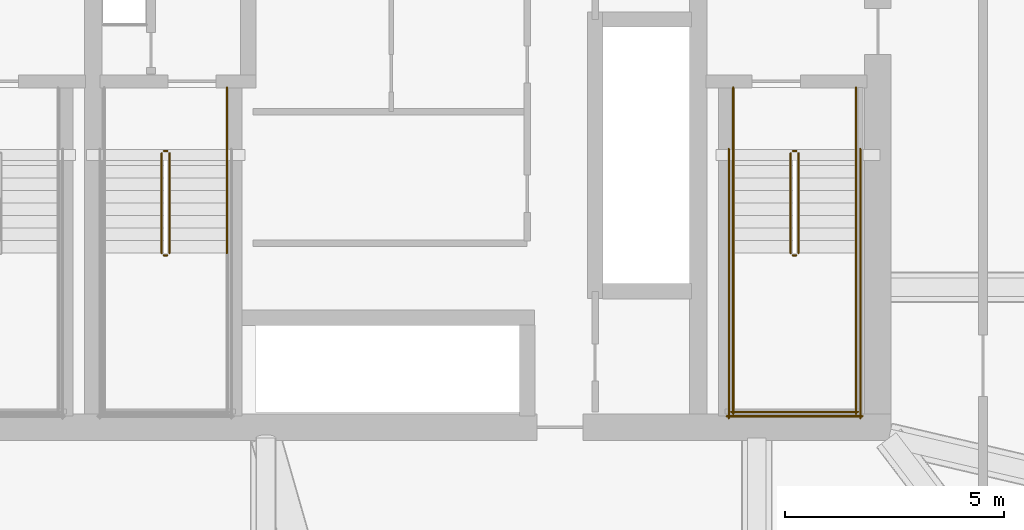
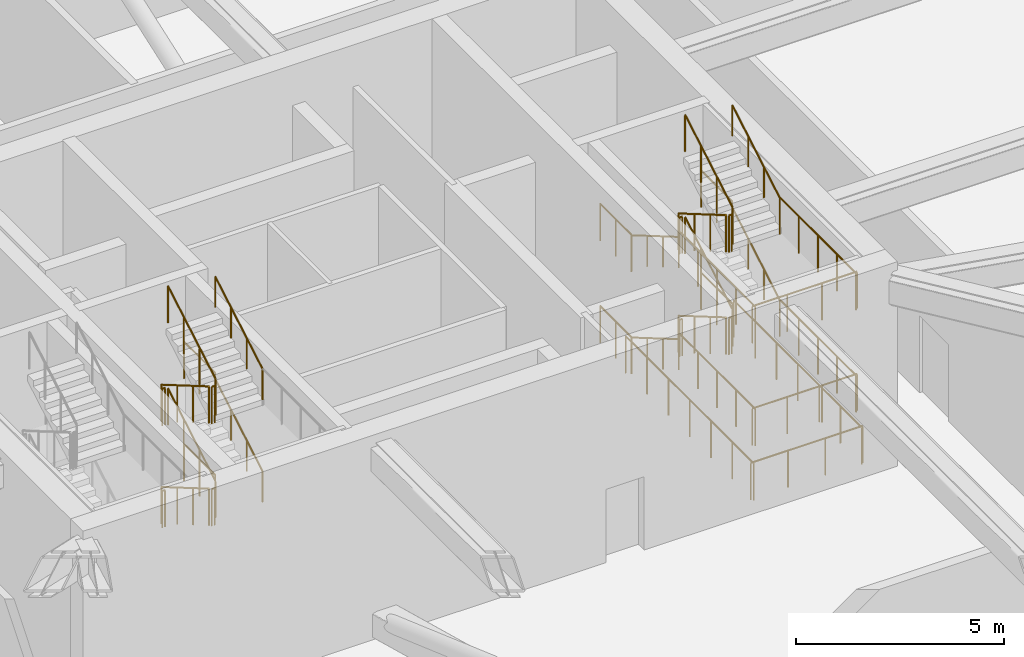
# One storey, part 13 of 14: 37 railings.
"""IFC4 building model written with IfcOpenShell, lengths in metres."""

from ifc_helpers import new_model, si_unit, direction, frame, origin, origin_2d, place, context, subcontext, project, spatial, circle, extrude, material, type_object, element, save


model = new_model("IFC4")

# Units and contexts
model_context = context("Model", 3, precision=1e-05, world=origin(), true_north=direction((0.0, 1.0)))
body_context = subcontext(model_context, "Body", "Model", "MODEL_VIEW")
ifc_project = project(units=[si_unit("LENGTHUNIT", "METRE"), si_unit("AREAUNIT", "SQUARE_METRE"), si_unit("VOLUMEUNIT", "CUBIC_METRE"), si_unit("PLANEANGLEUNIT", "RADIAN"), si_unit("MASSUNIT", "GRAM", prefix="KILO")], contexts=[model_context])

# Site, building, storey
site_placement = place(None, origin())
site = spatial("IfcSite", under=ifc_project, at=site_placement, CompositionType="ELEMENT")
building_placement = place(site_placement, origin())
building = spatial("IfcBuilding", under=site, at=building_placement, Name="Bramvorn Convention Spire", CompositionType="ELEMENT")
storey_placement = place(building_placement, frame((0.0, 0.0, 35.39990234375)))
storey = spatial("IfcBuildingStorey", under=building, at=storey_placement, Name="L06", CompositionType="ELEMENT", Elevation=35.39990234375)

# Railings
ifc_material_1 = material(Name="Painted Steel Balustrade & Guardrail", Category="steel")
railing_type_1 = type_object("IfcRailingType", Name="RL-STAIR-GUARD-1100", PredefinedType="GUARDRAIL", material=ifc_material_1)
railing_1_placement = place(storey_placement, frame((47.010009765625, 25.050048828125, 0.166748046875)))
element("IfcRailing", 1, at=railing_1_placement, inside=storey, type_object=railing_type_1, Name="L06 ST2 stair guard 1", PredefinedType="GUARDRAIL", context=body_context, shape_type="SweptSolid", body=[
    extrude(circle(Radius=0.02392578125, at=origin_2d()), frame((0.0, 0.0, 1.076171875), z_axis=(0.0, -0.863245362884, 0.504784551527), x_axis=(1.0, 0.0, 0.0)), (0.0, 0.0, 1.0), 2.64111328125),
    extrude(circle(Radius=0.02099609375, at=origin_2d()), origin(), (0.0, 0.0, 1.0), 1.052001953125),
    extrude(circle(Radius=0.02099609375, at=origin_2d()), frame((0.0, -0.760009765625, 0.4443359375)), (0.0, 0.0, 1.0), 1.052001953125),
    extrude(circle(Radius=0.02099609375, at=origin_2d()), frame((0.0, -1.52001953125, 0.888916015625)), (0.0, 0.0, 1.0), 1.052001953125),
    extrude(circle(Radius=0.02099609375, at=origin_2d()), frame((0.0, -2.280029296875, 1.333251953125)), (0.0, 0.0, 1.0), 1.052001953125),
])
railing_2_placement = place(storey_placement, frame((47.06005859375, 22.719970703125, 1.5)))
element("IfcRailing", 2, at=railing_2_placement, inside=storey, type_object=railing_type_1, Name="L06 ST2 stair guard 2", PredefinedType="GUARDRAIL", context=body_context, shape_type="SweptSolid", body=[
    extrude(circle(Radius=0.02392578125, at=origin_2d()), frame((0.0, 0.0, 1.076171875), z_axis=(1.0, 0.0, 0.0), x_axis=(0.0, 1.0, 0.0)), (0.0, 0.0, 1.0), 0.079833984375),
    extrude(circle(Radius=0.02099609375, at=origin_2d()), origin(), (0.0, 0.0, 1.0), 1.052001953125),
    extrude(circle(Radius=0.02099609375, at=origin_2d()), frame((0.079833984375, 0.0, 0.0)), (0.0, 0.0, 1.0), 1.052001953125),
])
for number, where, name in (
    (3, (45.699951171875, 22.77001953125, 1.5), "L06 ST2 stair guard 3"),
    (4, (48.5, 22.77001953125, 1.5), "L06 ST2 stair guard 4"),
):
    element("IfcRailing", number, at=place(storey_placement, frame(where)), inside=storey, type_object=railing_type_1, Name=name, PredefinedType="GUARDRAIL", context=body_context, shape_type="SweptSolid", body=[
        extrude(circle(Radius=0.02392578125, at=origin_2d()), frame((0.0, 0.0, 1.076171875), z_axis=(0.0, -1.0, 0.0), x_axis=(1.0, 0.0, 0.0)), (0.0, 0.0, 1.0), 3.669921875),
        extrude(circle(Radius=0.02099609375, at=origin_2d()), origin(), (0.0, 0.0, 1.0), 1.052001953125),
        extrude(circle(Radius=0.02099609375, at=origin_2d()), frame((0.0, -0.91748046875, 0.0)), (0.0, 0.0, 1.0), 1.052001953125),
        extrude(circle(Radius=0.02099609375, at=origin_2d()), frame((0.0, -1.8349609375, 0.0)), (0.0, 0.0, 1.0), 1.052001953125),
        extrude(circle(Radius=0.02099609375, at=origin_2d()), frame((0.0, -2.75244140625, 0.0)), (0.0, 0.0, 1.0), 1.052001953125),
        extrude(circle(Radius=0.02099609375, at=origin_2d()), frame((0.0, -3.669921875, 0.0)), (0.0, 0.0, 1.0), 1.052001953125),
    ])
railing_3_placement = place(storey_placement, frame((45.64990234375, 19.14990234375, 1.5)))
element("IfcRailing", 5, at=railing_3_placement, inside=storey, type_object=railing_type_1, Name="L06 ST2 stair guard 5", PredefinedType="GUARDRAIL", context=body_context, shape_type="SweptSolid", body=[
    extrude(circle(Radius=0.02392578125, at=origin_2d()), frame((0.0, 0.0, 1.076171875), z_axis=(1.0, 0.0, 0.0), x_axis=(0.0, 1.0, 0.0)), (0.0, 0.0, 1.0), 2.900146484375),
    extrude(circle(Radius=0.02099609375, at=origin_2d()), origin(), (0.0, 0.0, 1.0), 1.052001953125),
    extrude(circle(Radius=0.02099609375, at=origin_2d()), frame((0.966796875, 0.0, 0.0)), (0.0, 0.0, 1.0), 1.052001953125),
    extrude(circle(Radius=0.02099609375, at=origin_2d()), frame((1.933349609375, 0.0, 0.0)), (0.0, 0.0, 1.0), 1.052001953125),
    extrude(circle(Radius=0.02099609375, at=origin_2d()), frame((2.900146484375, 0.0, 0.0)), (0.0, 0.0, 1.0), 1.052001953125),
])
railing_4_placement = place(storey_placement, frame((47.18994140625, 22.77001953125, 1.666748046875)))
element("IfcRailing", 6, at=railing_4_placement, inside=storey, type_object=railing_type_1, Name="L06 ST2 stair guard 6", PredefinedType="GUARDRAIL", context=body_context, shape_type="SweptSolid", body=[
    extrude(circle(Radius=0.02392578125, at=origin_2d()), frame((0.0, 0.0, 1.076171875), z_axis=(0.0, 0.863245362884, 0.504784551527), x_axis=(-1.0, 0.0, 0.0)), (0.0, 0.0, 1.0), 2.64111328125),
    extrude(circle(Radius=0.02099609375, at=origin_2d()), origin(), (0.0, 0.0, 1.0), 1.052001953125),
    extrude(circle(Radius=0.02099609375, at=origin_2d()), frame((0.0, 0.760009765625, 0.4443359375)), (0.0, 0.0, 1.0), 1.052001953125),
    extrude(circle(Radius=0.02099609375, at=origin_2d()), frame((0.0, 1.52001953125, 0.888916015625)), (0.0, 0.0, 1.0), 1.052001953125),
    extrude(circle(Radius=0.02099609375, at=origin_2d()), frame((0.0, 2.280029296875, 1.333251953125)), (0.0, 0.0, 1.0), 1.052001953125),
])
railing_5_placement = place(storey_placement, frame((47.06005859375, 25.10009765625, 3.0)))
element("IfcRailing", 7, at=railing_5_placement, inside=storey, type_object=railing_type_1, Name="L06 ST2 stair guard 7", PredefinedType="GUARDRAIL", context=body_context, shape_type="SweptSolid", body=[
    extrude(circle(Radius=0.02392578125, at=origin_2d()), frame((0.0, 0.0, 1.076171875), z_axis=(1.0, 0.0, 0.0), x_axis=(0.0, 1.0, 0.0)), (0.0, 0.0, 1.0), 0.079833984375),
    extrude(circle(Radius=0.02099609375, at=origin_2d()), origin(), (0.0, 0.0, 1.0), 1.052001953125),
    extrude(circle(Radius=0.02099609375, at=origin_2d()), frame((0.079833984375, 0.0, 0.0)), (0.0, 0.0, 1.0), 1.052001953125),
])
for number, where, name in (
    (8, (45.699951171875, 26.550048828125, 3.0), "L06 ST2 stair guard 8"),
    (9, (48.5, 26.550048828125, 3.0), "L06 ST2 stair guard 9"),
):
    element("IfcRailing", number, at=place(storey_placement, frame(where)), inside=storey, type_object=railing_type_1, Name=name, PredefinedType="GUARDRAIL", context=body_context, shape_type="SweptSolid", body=[
        extrude(circle(Radius=0.02392578125, at=origin_2d()), frame((0.0, 0.0, 1.076171875), z_axis=(0.0, -1.0, 0.0), x_axis=(1.0, 0.0, 0.0)), (0.0, 0.0, 1.0), 1.5),
        extrude(circle(Radius=0.02099609375, at=origin_2d()), origin(), (0.0, 0.0, 1.0), 1.052001953125),
        extrude(circle(Radius=0.02099609375, at=origin_2d()), frame((0.0, -0.75, 0.0)), (0.0, 0.0, 1.0), 1.052001953125),
        extrude(circle(Radius=0.02099609375, at=origin_2d()), frame((0.0, -1.5, 0.0)), (0.0, 0.0, 1.0), 1.052001953125),
    ])
railing_6_placement = place(storey_placement, frame((47.010009765625, 25.050048828125, 3.166748046875)))
element("IfcRailing", 10, at=railing_6_placement, inside=storey, type_object=railing_type_1, Name="L06 ST2 stair guard 10", PredefinedType="GUARDRAIL", context=body_context, shape_type="SweptSolid", body=[
    extrude(circle(Radius=0.02392578125, at=origin_2d()), frame((0.0, 0.0, 1.076171875), z_axis=(0.0, -0.863245362884, 0.504784551527), x_axis=(1.0, 0.0, 0.0)), (0.0, 0.0, 1.0), 2.64111328125),
    extrude(circle(Radius=0.02099609375, at=origin_2d()), origin(), (0.0, 0.0, 1.0), 1.052001953125),
    extrude(circle(Radius=0.02099609375, at=origin_2d()), frame((0.0, -0.760009765625, 0.4443359375)), (0.0, 0.0, 1.0), 1.052001953125),
    extrude(circle(Radius=0.02099609375, at=origin_2d()), frame((0.0, -1.52001953125, 0.888916015625)), (0.0, 0.0, 1.0), 1.052001953125),
    extrude(circle(Radius=0.02099609375, at=origin_2d()), frame((0.0, -2.280029296875, 1.333251953125)), (0.0, 0.0, 1.0), 1.052001953125),
])
railing_7_placement = place(storey_placement, frame((47.06005859375, 22.719970703125, 4.5)))
element("IfcRailing", 11, at=railing_7_placement, inside=storey, type_object=railing_type_1, Name="L06 ST2 stair guard 11", PredefinedType="GUARDRAIL", context=body_context, shape_type="SweptSolid", body=[
    extrude(circle(Radius=0.02392578125, at=origin_2d()), frame((0.0, 0.0, 1.076171875), z_axis=(1.0, 0.0, 0.0), x_axis=(0.0, 1.0, 0.0)), (0.0, 0.0, 1.0), 0.079833984375),
    extrude(circle(Radius=0.02099609375, at=origin_2d()), origin(), (0.0, 0.0, 1.0), 1.052001953125),
    extrude(circle(Radius=0.02099609375, at=origin_2d()), frame((0.079833984375, 0.0, 0.0)), (0.0, 0.0, 1.0), 1.052001953125),
])
for number, where, name in (
    (12, (45.699951171875, 22.77001953125, 4.5), "L06 ST2 stair guard 12"),
    (13, (48.5, 22.77001953125, 4.5), "L06 ST2 stair guard 13"),
):
    element("IfcRailing", number, at=place(storey_placement, frame(where)), inside=storey, type_object=railing_type_1, Name=name, PredefinedType="GUARDRAIL", context=body_context, shape_type="SweptSolid", body=[
        extrude(circle(Radius=0.02392578125, at=origin_2d()), frame((0.0, 0.0, 1.076171875), z_axis=(0.0, -1.0, 0.0), x_axis=(1.0, 0.0, 0.0)), (0.0, 0.0, 1.0), 3.669921875),
        extrude(circle(Radius=0.02099609375, at=origin_2d()), origin(), (0.0, 0.0, 1.0), 1.052001953125),
        extrude(circle(Radius=0.02099609375, at=origin_2d()), frame((0.0, -0.91748046875, 0.0)), (0.0, 0.0, 1.0), 1.052001953125),
        extrude(circle(Radius=0.02099609375, at=origin_2d()), frame((0.0, -1.8349609375, 0.0)), (0.0, 0.0, 1.0), 1.052001953125),
        extrude(circle(Radius=0.02099609375, at=origin_2d()), frame((0.0, -2.75244140625, 0.0)), (0.0, 0.0, 1.0), 1.052001953125),
        extrude(circle(Radius=0.02099609375, at=origin_2d()), frame((0.0, -3.669921875, 0.0)), (0.0, 0.0, 1.0), 1.052001953125),
    ])
railing_8_placement = place(storey_placement, frame((45.64990234375, 19.14990234375, 4.5)))
element("IfcRailing", 14, at=railing_8_placement, inside=storey, type_object=railing_type_1, Name="L06 ST2 stair guard 14", PredefinedType="GUARDRAIL", context=body_context, shape_type="SweptSolid", body=[
    extrude(circle(Radius=0.02392578125, at=origin_2d()), frame((0.0, 0.0, 1.076171875), z_axis=(1.0, 0.0, 0.0), x_axis=(0.0, 1.0, 0.0)), (0.0, 0.0, 1.0), 2.900146484375),
    extrude(circle(Radius=0.02099609375, at=origin_2d()), origin(), (0.0, 0.0, 1.0), 1.052001953125),
    extrude(circle(Radius=0.02099609375, at=origin_2d()), frame((0.966796875, 0.0, 0.0)), (0.0, 0.0, 1.0), 1.052001953125),
    extrude(circle(Radius=0.02099609375, at=origin_2d()), frame((1.933349609375, 0.0, 0.0)), (0.0, 0.0, 1.0), 1.052001953125),
    extrude(circle(Radius=0.02099609375, at=origin_2d()), frame((2.900146484375, 0.0, 0.0)), (0.0, 0.0, 1.0), 1.052001953125),
])
railing_9_placement = place(storey_placement, frame((47.18994140625, 22.77001953125, 4.666748046875)))
element("IfcRailing", 15, at=railing_9_placement, inside=storey, type_object=railing_type_1, Name="L06 ST2 stair guard 15", PredefinedType="GUARDRAIL", context=body_context, shape_type="SweptSolid", body=[
    extrude(circle(Radius=0.02392578125, at=origin_2d()), frame((0.0, 0.0, 1.076171875), z_axis=(0.0, 0.863245362884, 0.504784551527), x_axis=(-1.0, 0.0, 0.0)), (0.0, 0.0, 1.0), 2.64111328125),
    extrude(circle(Radius=0.02099609375, at=origin_2d()), origin(), (0.0, 0.0, 1.0), 1.052001953125),
    extrude(circle(Radius=0.02099609375, at=origin_2d()), frame((0.0, 0.760009765625, 0.4443359375)), (0.0, 0.0, 1.0), 1.052001953125),
    extrude(circle(Radius=0.02099609375, at=origin_2d()), frame((0.0, 1.52001953125, 0.888916015625)), (0.0, 0.0, 1.0), 1.052001953125),
    extrude(circle(Radius=0.02099609375, at=origin_2d()), frame((0.0, 2.280029296875, 1.333251953125)), (0.0, 0.0, 1.0), 1.052001953125),
])
railing_10_placement = place(storey_placement, frame((47.06005859375, 25.10009765625, 0.0)))
element("IfcRailing", 16, at=railing_10_placement, inside=storey, type_object=railing_type_1, Name="L06 ST2 stair guard 16", PredefinedType="GUARDRAIL", context=body_context, shape_type="SweptSolid", body=[
    extrude(circle(Radius=0.02392578125, at=origin_2d()), frame((0.0, 0.0, 1.076171875), z_axis=(1.0, 0.0, 0.0), x_axis=(0.0, 1.0, 0.0)), (0.0, 0.0, 1.0), 0.079833984375),
    extrude(circle(Radius=0.02099609375, at=origin_2d()), origin(), (0.0, 0.0, 1.0), 1.052001953125),
    extrude(circle(Radius=0.02099609375, at=origin_2d()), frame((0.079833984375, 0.0, 0.0)), (0.0, 0.0, 1.0), 1.052001953125),
])
for number, where, name in (
    (17, (45.699951171875, 26.550048828125, 0.0), "L06 ST2 stair guard 17"),
    (18, (48.5, 26.550048828125, 0.0), "L06 ST2 stair guard 18"),
):
    element("IfcRailing", number, at=place(storey_placement, frame(where)), inside=storey, type_object=railing_type_1, Name=name, PredefinedType="GUARDRAIL", context=body_context, shape_type="SweptSolid", body=[
        extrude(circle(Radius=0.02392578125, at=origin_2d()), frame((0.0, 0.0, 1.076171875), z_axis=(0.0, -1.0, 0.0), x_axis=(1.0, 0.0, 0.0)), (0.0, 0.0, 1.0), 1.5),
        extrude(circle(Radius=0.02099609375, at=origin_2d()), origin(), (0.0, 0.0, 1.0), 1.052001953125),
        extrude(circle(Radius=0.02099609375, at=origin_2d()), frame((0.0, -0.75, 0.0)), (0.0, 0.0, 1.0), 1.052001953125),
        extrude(circle(Radius=0.02099609375, at=origin_2d()), frame((0.0, -1.5, 0.0)), (0.0, 0.0, 1.0), 1.052001953125),
    ])
for number, where, name in (
    (19, (45.60009765625, 25.14990234375, 0.0), "L06 ST2 stair guard 19"),
    (20, (48.60009765625, 25.14990234375, 0.0), "L06 ST2 stair guard 20"),
):
    element("IfcRailing", number, at=place(storey_placement, frame(where)), inside=storey, type_object=railing_type_1, Name=name, PredefinedType="GUARDRAIL", context=body_context, shape_type="SweptSolid", body=[
        extrude(circle(Radius=0.02392578125, at=origin_2d()), frame((0.0, 0.0, 1.076171875), z_axis=(0.0, -1.0, 0.0), x_axis=(1.0, 0.0, 0.0)), (0.0, 0.0, 1.0), 6.14990234375),
        extrude(circle(Radius=0.02099609375, at=origin_2d()), origin(), (0.0, 0.0, 1.0), 1.052001953125),
        extrude(circle(Radius=0.02099609375, at=origin_2d()), frame((0.0, -1.02490234375, 0.0)), (0.0, 0.0, 1.0), 1.052001953125),
        extrude(circle(Radius=0.02099609375, at=origin_2d()), frame((0.0, -2.050048828125, 0.0)), (0.0, 0.0, 1.0), 1.052001953125),
        extrude(circle(Radius=0.02099609375, at=origin_2d()), frame((0.0, -3.074951171875, 0.0)), (0.0, 0.0, 1.0), 1.052001953125),
        extrude(circle(Radius=0.02099609375, at=origin_2d()), frame((0.0, -4.099853515625, 0.0)), (0.0, 0.0, 1.0), 1.052001953125),
        extrude(circle(Radius=0.02099609375, at=origin_2d()), frame((0.0, -5.125, 0.0)), (0.0, 0.0, 1.0), 1.052001953125),
        extrude(circle(Radius=0.02099609375, at=origin_2d()), frame((0.0, -6.14990234375, 0.0)), (0.0, 0.0, 1.0), 1.052001953125),
    ])
railing_11_placement = place(storey_placement, frame((45.550048828125, 19.050048828125, 0.0)))
element("IfcRailing", 21, at=railing_11_placement, inside=storey, type_object=railing_type_1, Name="L06 ST2 stair guard 21", PredefinedType="GUARDRAIL", context=body_context, shape_type="SweptSolid", body=[
    extrude(circle(Radius=0.02392578125, at=origin_2d()), frame((0.0, 0.0, 1.076171875), z_axis=(1.0, 0.0, 0.0), x_axis=(0.0, 1.0, 0.0)), (0.0, 0.0, 1.0), 3.099853515625),
    extrude(circle(Radius=0.02099609375, at=origin_2d()), origin(), (0.0, 0.0, 1.0), 1.052001953125),
    extrude(circle(Radius=0.02099609375, at=origin_2d()), frame((1.033203125, 0.0, 0.0)), (0.0, 0.0, 1.0), 1.052001953125),
    extrude(circle(Radius=0.02099609375, at=origin_2d()), frame((2.066650390625, 0.0, 0.0)), (0.0, 0.0, 1.0), 1.052001953125),
    extrude(circle(Radius=0.02099609375, at=origin_2d()), frame((3.099853515625, 0.0, 0.0)), (0.0, 0.0, 1.0), 1.052001953125),
])
railing_12_placement = place(storey_placement, frame((32.659912109375, 25.050048828125, 0.166748046875)))
element("IfcRailing", 22, at=railing_12_placement, inside=storey, type_object=railing_type_1, Name="L06 ST3 stair guard 1", PredefinedType="GUARDRAIL", context=body_context, shape_type="SweptSolid", body=[
    extrude(circle(Radius=0.02392578125, at=origin_2d()), frame((0.0, 0.0, 1.076171875), z_axis=(0.0, -0.863245362884, 0.504784551527), x_axis=(1.0, 0.0, 0.0)), (0.0, 0.0, 1.0), 2.64111328125),
    extrude(circle(Radius=0.02099609375, at=origin_2d()), origin(), (0.0, 0.0, 1.0), 1.052001953125),
    extrude(circle(Radius=0.02099609375, at=origin_2d()), frame((0.0, -0.760009765625, 0.4443359375)), (0.0, 0.0, 1.0), 1.052001953125),
    extrude(circle(Radius=0.02099609375, at=origin_2d()), frame((0.0, -1.52001953125, 0.888916015625)), (0.0, 0.0, 1.0), 1.052001953125),
    extrude(circle(Radius=0.02099609375, at=origin_2d()), frame((0.0, -2.280029296875, 1.333251953125)), (0.0, 0.0, 1.0), 1.052001953125),
])
railing_13_placement = place(storey_placement, frame((32.7099609375, 22.719970703125, 1.5)))
element("IfcRailing", 23, at=railing_13_placement, inside=storey, type_object=railing_type_1, Name="L06 ST3 stair guard 2", PredefinedType="GUARDRAIL", context=body_context, shape_type="SweptSolid", body=[
    extrude(circle(Radius=0.02392578125, at=origin_2d()), frame((0.0, 0.0, 1.076171875), z_axis=(1.0, 0.0, 0.0), x_axis=(0.0, 1.0, 0.0)), (0.0, 0.0, 1.0), 0.080078125),
    extrude(circle(Radius=0.02099609375, at=origin_2d()), origin(), (0.0, 0.0, 1.0), 1.052001953125),
    extrude(circle(Radius=0.02099609375, at=origin_2d()), frame((0.080078125, 0.0, 0.0)), (0.0, 0.0, 1.0), 1.052001953125),
])
railing_14_placement = place(storey_placement, frame((32.840087890625, 22.77001953125, 1.666748046875)))
element("IfcRailing", 24, at=railing_14_placement, inside=storey, type_object=railing_type_1, Name="L06 ST3 stair guard 6", PredefinedType="GUARDRAIL", context=body_context, shape_type="SweptSolid", body=[
    extrude(circle(Radius=0.02392578125, at=origin_2d()), frame((0.0, 0.0, 1.076171875), z_axis=(0.0, 0.863245362884, 0.504784551527), x_axis=(-1.0, 0.0, 0.0)), (0.0, 0.0, 1.0), 2.64111328125),
    extrude(circle(Radius=0.02099609375, at=origin_2d()), origin(), (0.0, 0.0, 1.0), 1.052001953125),
    extrude(circle(Radius=0.02099609375, at=origin_2d()), frame((0.0, 0.760009765625, 0.4443359375)), (0.0, 0.0, 1.0), 1.052001953125),
    extrude(circle(Radius=0.02099609375, at=origin_2d()), frame((0.0, 1.52001953125, 0.888916015625)), (0.0, 0.0, 1.0), 1.052001953125),
    extrude(circle(Radius=0.02099609375, at=origin_2d()), frame((0.0, 2.280029296875, 1.333251953125)), (0.0, 0.0, 1.0), 1.052001953125),
])
railing_15_placement = place(storey_placement, frame((32.7099609375, 25.10009765625, 3.0)))
element("IfcRailing", 25, at=railing_15_placement, inside=storey, type_object=railing_type_1, Name="L06 ST3 stair guard 7", PredefinedType="GUARDRAIL", context=body_context, shape_type="SweptSolid", body=[
    extrude(circle(Radius=0.02392578125, at=origin_2d()), frame((0.0, 0.0, 1.076171875), z_axis=(1.0, 0.0, 0.0), x_axis=(0.0, 1.0, 0.0)), (0.0, 0.0, 1.0), 0.080078125),
    extrude(circle(Radius=0.02099609375, at=origin_2d()), origin(), (0.0, 0.0, 1.0), 1.052001953125),
    extrude(circle(Radius=0.02099609375, at=origin_2d()), frame((0.080078125, 0.0, 0.0)), (0.0, 0.0, 1.0), 1.052001953125),
])
railing_16_placement = place(storey_placement, frame((34.14990234375, 26.550048828125, 3.0)))
element("IfcRailing", 26, at=railing_16_placement, inside=storey, type_object=railing_type_1, Name="L06 ST3 stair guard 9", PredefinedType="GUARDRAIL", context=body_context, shape_type="SweptSolid", body=[
    extrude(circle(Radius=0.02392578125, at=origin_2d()), frame((0.0, 0.0, 1.076171875), z_axis=(0.0, -1.0, 0.0), x_axis=(1.0, 0.0, 0.0)), (0.0, 0.0, 1.0), 1.5),
    extrude(circle(Radius=0.02099609375, at=origin_2d()), origin(), (0.0, 0.0, 1.0), 1.052001953125),
    extrude(circle(Radius=0.02099609375, at=origin_2d()), frame((0.0, -0.75, 0.0)), (0.0, 0.0, 1.0), 1.052001953125),
    extrude(circle(Radius=0.02099609375, at=origin_2d()), frame((0.0, -1.5, 0.0)), (0.0, 0.0, 1.0), 1.052001953125),
])
railing_17_placement = place(storey_placement, frame((32.659912109375, 25.050048828125, 3.166748046875)))
element("IfcRailing", 27, at=railing_17_placement, inside=storey, type_object=railing_type_1, Name="L06 ST3 stair guard 10", PredefinedType="GUARDRAIL", context=body_context, shape_type="SweptSolid", body=[
    extrude(circle(Radius=0.02392578125, at=origin_2d()), frame((0.0, 0.0, 1.076171875), z_axis=(0.0, -0.863245362884, 0.504784551527), x_axis=(1.0, 0.0, 0.0)), (0.0, 0.0, 1.0), 2.64111328125),
    extrude(circle(Radius=0.02099609375, at=origin_2d()), origin(), (0.0, 0.0, 1.0), 1.052001953125),
    extrude(circle(Radius=0.02099609375, at=origin_2d()), frame((0.0, -0.760009765625, 0.4443359375)), (0.0, 0.0, 1.0), 1.052001953125),
    extrude(circle(Radius=0.02099609375, at=origin_2d()), frame((0.0, -1.52001953125, 0.888916015625)), (0.0, 0.0, 1.0), 1.052001953125),
    extrude(circle(Radius=0.02099609375, at=origin_2d()), frame((0.0, -2.280029296875, 1.333251953125)), (0.0, 0.0, 1.0), 1.052001953125),
])
railing_18_placement = place(storey_placement, frame((32.7099609375, 22.719970703125, 4.5)))
element("IfcRailing", 28, at=railing_18_placement, inside=storey, type_object=railing_type_1, Name="L06 ST3 stair guard 11", PredefinedType="GUARDRAIL", context=body_context, shape_type="SweptSolid", body=[
    extrude(circle(Radius=0.02392578125, at=origin_2d()), frame((0.0, 0.0, 1.076171875), z_axis=(1.0, 0.0, 0.0), x_axis=(0.0, 1.0, 0.0)), (0.0, 0.0, 1.0), 0.080078125),
    extrude(circle(Radius=0.02099609375, at=origin_2d()), origin(), (0.0, 0.0, 1.0), 1.052001953125),
    extrude(circle(Radius=0.02099609375, at=origin_2d()), frame((0.080078125, 0.0, 0.0)), (0.0, 0.0, 1.0), 1.052001953125),
])
railing_19_placement = place(storey_placement, frame((32.840087890625, 22.77001953125, 4.666748046875)))
element("IfcRailing", 29, at=railing_19_placement, inside=storey, type_object=railing_type_1, Name="L06 ST3 stair guard 15", PredefinedType="GUARDRAIL", context=body_context, shape_type="SweptSolid", body=[
    extrude(circle(Radius=0.02392578125, at=origin_2d()), frame((0.0, 0.0, 1.076171875), z_axis=(0.0, 0.863245362884, 0.504784551527), x_axis=(-1.0, 0.0, 0.0)), (0.0, 0.0, 1.0), 2.64111328125),
    extrude(circle(Radius=0.02099609375, at=origin_2d()), origin(), (0.0, 0.0, 1.0), 1.052001953125),
    extrude(circle(Radius=0.02099609375, at=origin_2d()), frame((0.0, 0.760009765625, 0.4443359375)), (0.0, 0.0, 1.0), 1.052001953125),
    extrude(circle(Radius=0.02099609375, at=origin_2d()), frame((0.0, 1.52001953125, 0.888916015625)), (0.0, 0.0, 1.0), 1.052001953125),
    extrude(circle(Radius=0.02099609375, at=origin_2d()), frame((0.0, 2.280029296875, 1.333251953125)), (0.0, 0.0, 1.0), 1.052001953125),
])
railing_20_placement = place(storey_placement, frame((32.7099609375, 25.10009765625, 0.0)))
element("IfcRailing", 30, at=railing_20_placement, inside=storey, type_object=railing_type_1, Name="L06 ST3 stair guard 16", PredefinedType="GUARDRAIL", context=body_context, shape_type="SweptSolid", body=[
    extrude(circle(Radius=0.02392578125, at=origin_2d()), frame((0.0, 0.0, 1.076171875), z_axis=(1.0, 0.0, 0.0), x_axis=(0.0, 1.0, 0.0)), (0.0, 0.0, 1.0), 0.080078125),
    extrude(circle(Radius=0.02099609375, at=origin_2d()), origin(), (0.0, 0.0, 1.0), 1.052001953125),
    extrude(circle(Radius=0.02099609375, at=origin_2d()), frame((0.080078125, 0.0, 0.0)), (0.0, 0.0, 1.0), 1.052001953125),
])
railing_21_placement = place(storey_placement, frame((34.14990234375, 26.550048828125, 0.0)))
element("IfcRailing", 31, at=railing_21_placement, inside=storey, type_object=railing_type_1, Name="L06 ST3 stair guard 18", PredefinedType="GUARDRAIL", context=body_context, shape_type="SweptSolid", body=[
    extrude(circle(Radius=0.02392578125, at=origin_2d()), frame((0.0, 0.0, 1.076171875), z_axis=(0.0, -1.0, 0.0), x_axis=(1.0, 0.0, 0.0)), (0.0, 0.0, 1.0), 1.5),
    extrude(circle(Radius=0.02099609375, at=origin_2d()), origin(), (0.0, 0.0, 1.0), 1.052001953125),
    extrude(circle(Radius=0.02099609375, at=origin_2d()), frame((0.0, -0.75, 0.0)), (0.0, 0.0, 1.0), 1.052001953125),
    extrude(circle(Radius=0.02099609375, at=origin_2d()), frame((0.0, -1.5, 0.0)), (0.0, 0.0, 1.0), 1.052001953125),
])
ifc_material_2 = material(Name="Brushed Bronze Tubular Handrail", Category="aluminium")
railing_type_2 = type_object("IfcRailingType", Name="RL-STAIR-HR-920", PredefinedType="HANDRAIL", material=ifc_material_2)
railing_22_placement = place(storey_placement, frame((45.699951171875, 25.050048828125, 0.166748046875)))
element("IfcRailing", 32, at=railing_22_placement, inside=storey, type_object=railing_type_2, Name="L06 ST2 stair handrail 1", PredefinedType="HANDRAIL", context=body_context, shape_type="SweptSolid", body=[
    extrude(circle(Radius=0.02392578125, at=origin_2d()), frame((0.0, 0.0, 0.89599609375), z_axis=(0.0, -0.863245362884, 0.504784551527), x_axis=(1.0, 0.0, 0.0)), (0.0, 0.0, 1.0), 2.64111328125),
    extrude(circle(Radius=0.02099609375, at=origin_2d()), origin(), (0.0, 0.0, 1.0), 0.871826171875),
    extrude(circle(Radius=0.02099609375, at=origin_2d()), frame((0.0, -0.760009765625, 0.4443359375)), (0.0, 0.0, 1.0), 0.871826171875),
    extrude(circle(Radius=0.02099609375, at=origin_2d()), frame((0.0, -1.52001953125, 0.888916015625)), (0.0, 0.0, 1.0), 0.871826171875),
    extrude(circle(Radius=0.02099609375, at=origin_2d()), frame((0.0, -2.280029296875, 1.333251953125)), (0.0, 0.0, 1.0), 0.871826171875),
])
railing_23_placement = place(storey_placement, frame((48.5, 22.77001953125, 1.666748046875)))
element("IfcRailing", 33, at=railing_23_placement, inside=storey, type_object=railing_type_2, Name="L06 ST2 stair handrail 2", PredefinedType="HANDRAIL", context=body_context, shape_type="SweptSolid", body=[
    extrude(circle(Radius=0.02392578125, at=origin_2d()), frame((0.0, 0.0, 0.89599609375), z_axis=(0.0, 0.863245362884, 0.504784551527), x_axis=(-1.0, 0.0, 0.0)), (0.0, 0.0, 1.0), 2.64111328125),
    extrude(circle(Radius=0.02099609375, at=origin_2d()), origin(), (0.0, 0.0, 1.0), 0.871826171875),
    extrude(circle(Radius=0.02099609375, at=origin_2d()), frame((0.0, 0.760009765625, 0.4443359375)), (0.0, 0.0, 1.0), 0.871826171875),
    extrude(circle(Radius=0.02099609375, at=origin_2d()), frame((0.0, 1.52001953125, 0.888916015625)), (0.0, 0.0, 1.0), 0.871826171875),
    extrude(circle(Radius=0.02099609375, at=origin_2d()), frame((0.0, 2.280029296875, 1.333251953125)), (0.0, 0.0, 1.0), 0.871826171875),
])
railing_24_placement = place(storey_placement, frame((45.699951171875, 25.050048828125, 3.166748046875)))
element("IfcRailing", 34, at=railing_24_placement, inside=storey, type_object=railing_type_2, Name="L06 ST2 stair handrail 3", PredefinedType="HANDRAIL", context=body_context, shape_type="SweptSolid", body=[
    extrude(circle(Radius=0.02392578125, at=origin_2d()), frame((0.0, 0.0, 0.89599609375), z_axis=(0.0, -0.863245362884, 0.504784551527), x_axis=(1.0, 0.0, 0.0)), (0.0, 0.0, 1.0), 2.64111328125),
    extrude(circle(Radius=0.02099609375, at=origin_2d()), origin(), (0.0, 0.0, 1.0), 0.871826171875),
    extrude(circle(Radius=0.02099609375, at=origin_2d()), frame((0.0, -0.760009765625, 0.4443359375)), (0.0, 0.0, 1.0), 0.871826171875),
    extrude(circle(Radius=0.02099609375, at=origin_2d()), frame((0.0, -1.52001953125, 0.888916015625)), (0.0, 0.0, 1.0), 0.871826171875),
    extrude(circle(Radius=0.02099609375, at=origin_2d()), frame((0.0, -2.280029296875, 1.333251953125)), (0.0, 0.0, 1.0), 0.871826171875),
])
for number, where, name in (
    (35, (48.5, 22.77001953125, 4.666748046875), "L06 ST2 stair handrail 4"),
    (36, (34.14990234375, 22.77001953125, 1.666748046875), "L06 ST3 stair handrail 2"),
    (37, (34.14990234375, 22.77001953125, 4.666748046875), "L06 ST3 stair handrail 4"),
):
    element("IfcRailing", number, at=place(storey_placement, frame(where)), inside=storey, type_object=railing_type_2, Name=name, PredefinedType="HANDRAIL", context=body_context, shape_type="SweptSolid", body=[
        extrude(circle(Radius=0.02392578125, at=origin_2d()), frame((0.0, 0.0, 0.89599609375), z_axis=(0.0, 0.863245362884, 0.504784551527), x_axis=(-1.0, 0.0, 0.0)), (0.0, 0.0, 1.0), 2.64111328125),
        extrude(circle(Radius=0.02099609375, at=origin_2d()), origin(), (0.0, 0.0, 1.0), 0.871826171875),
        extrude(circle(Radius=0.02099609375, at=origin_2d()), frame((0.0, 0.760009765625, 0.4443359375)), (0.0, 0.0, 1.0), 0.871826171875),
        extrude(circle(Radius=0.02099609375, at=origin_2d()), frame((0.0, 1.52001953125, 0.888916015625)), (0.0, 0.0, 1.0), 0.871826171875),
        extrude(circle(Radius=0.02099609375, at=origin_2d()), frame((0.0, 2.280029296875, 1.333251953125)), (0.0, 0.0, 1.0), 0.871826171875),
    ])

save(model, "model.ifc")
